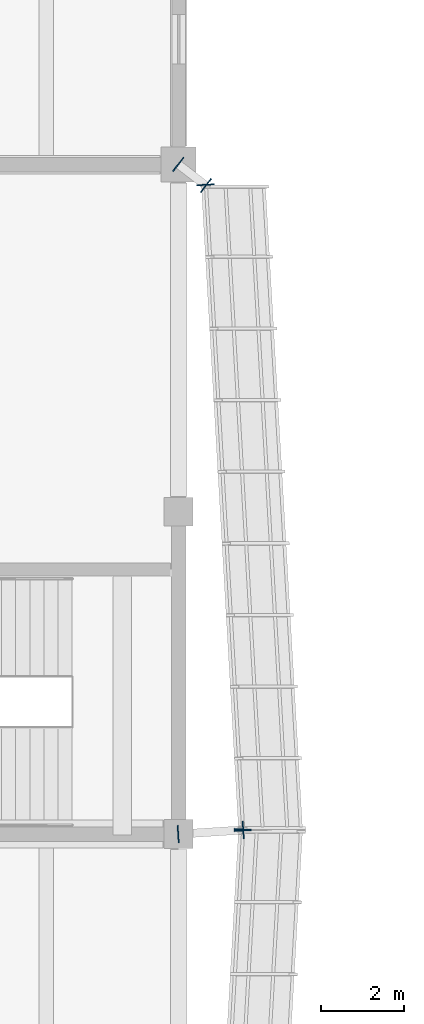
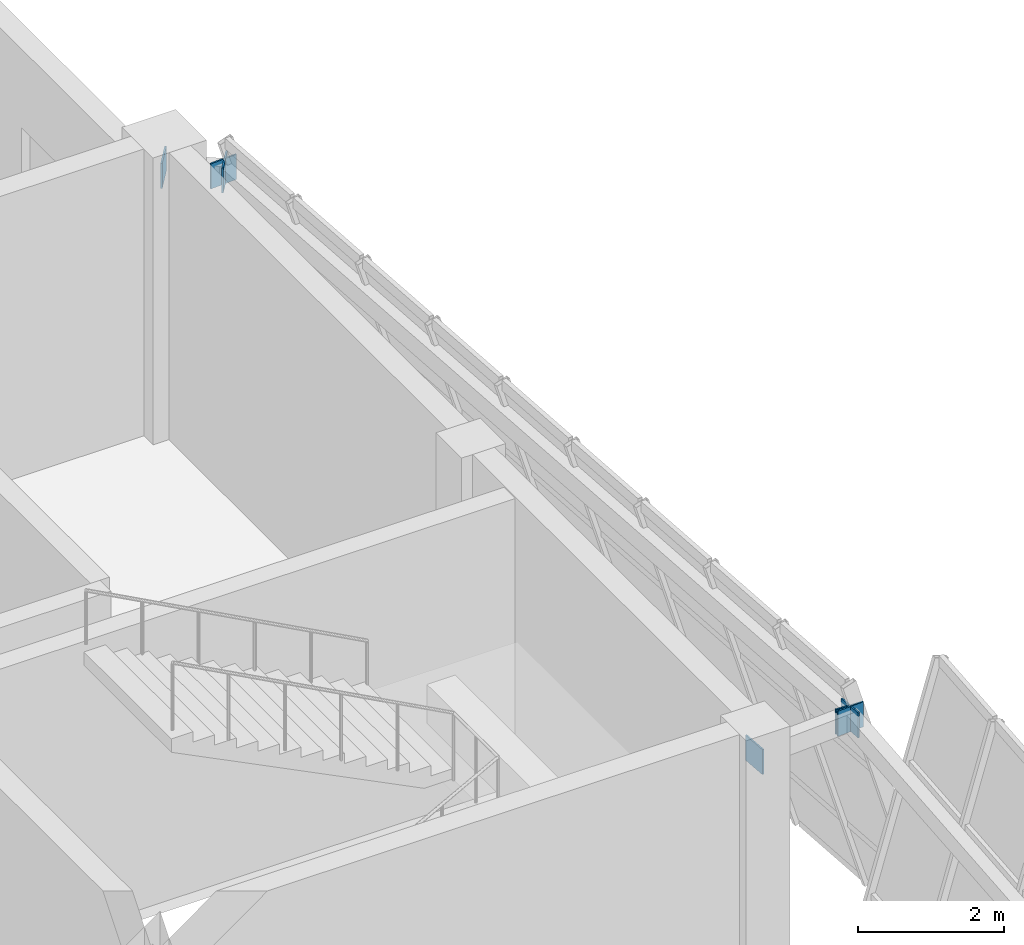
# One storey, part 78 of 91: 7 plates.
"""IFC4 building model written with IfcOpenShell, lengths in metres."""

from ifc_helpers import new_model, si_unit, direction, frame, origin, origin_2d, place, context, subcontext, project, spatial, rectangle, extrude, material, layer, layer_set, type_object, element, save


model = new_model("IFC4")

# Units and contexts
model_context = context("Model", 3, precision=1e-05, world=origin(), true_north=direction((0.0, 1.0)))
body_context = subcontext(model_context, "Body", "Model", "MODEL_VIEW")
ifc_project = project(units=[si_unit("LENGTHUNIT", "METRE"), si_unit("AREAUNIT", "SQUARE_METRE"), si_unit("VOLUMEUNIT", "CUBIC_METRE"), si_unit("PLANEANGLEUNIT", "RADIAN"), si_unit("MASSUNIT", "GRAM", prefix="KILO")], contexts=[model_context])

# Site, building, storey
site_placement = place(None, origin())
site = spatial("IfcSite", under=ifc_project, at=site_placement, CompositionType="ELEMENT")
building_placement = place(site_placement, origin())
building = spatial("IfcBuilding", under=site, at=building_placement, Name="Pellamere Symphony Hall", CompositionType="ELEMENT")
storey_placement = place(building_placement, frame((0.0, 0.0, 5.39990234375)))
storey = spatial("IfcBuildingStorey", under=building, at=storey_placement, Name="L01", CompositionType="ELEMENT", Elevation=5.39990234375)

# Plates
ifc_material = material(Name="Steel CSA G40.21 350W", Category="steel")
ifc_layer = layer(ifc_material, 0.02490234375, Name="Steel CSA G40.21 350W")
ifc_layer_set = layer_set([ifc_layer], Name="Steel CSA G40.21 350W")
plate_type = type_object("IfcPlateType", Name="Steel Connection Plate KP-01 420x420x25", PredefinedType="SHEET", material=ifc_layer_set)
for number, where, z_axis, x_axis, name in (
    (1, (120.3505859375, 77.511962890625, 4.030029296875), (0.0, 0.0, 1.0), (0.057215536424, 0.998361849427, 0.0), "Crystal Spandrel End Cap Plate CW-CR08-2 (L01)"),
    (2, (118.7880859375, 77.399169921875, 4.030029296875), (0.0, 0.0, 1.0), (0.997926866086, 0.064358138139, 0.0), "Outrigger End Cap Plate 031.1 (L01)"),
    (3, (120.362060546875, 77.500732421875, 4.030029296875), (0.0, 0.0, 1.0), (0.997926866086, 0.064358138139, 0.0), "Outrigger End Cap Plate 031.2 (L01)"),
    (4, (120.3505859375, 77.488037109375, 4.030029296875), (0.0, 0.0, 1.0), (-0.05756402696, 0.998341816614, 0.0), "Crystal Spandrel End Cap Plate CW-CR09-1 (L01)"),
    (5, (119.44921875, 93.112060546875, 4.030029296875), (0.0, 0.0, 1.0), (-0.05756402696, 0.998341816614, 0.0), "Crystal Spandrel End Cap Plate CW-CR09-2 (L01)"),
    (6, (118.79052734375, 93.607421875, 4.030029296875), (0.0, 0.0, 1.0), (0.792609005996, -0.609730238396, 0.0), "Outrigger End Cap Plate 041.1 (L01)"),
    (7, (119.45947265625, 93.0927734375, 4.030029296875), (0.0, 0.0, 1.0), (0.792609005996, -0.609730238396, 0.0), "Outrigger End Cap Plate 041.2 (L01)"),
):
    element("IfcPlate", number, at=place(storey_placement, frame(where, z_axis=z_axis, x_axis=x_axis)), inside=storey, type_object=plate_type, Name=name, PredefinedType="SHEET", context=body_context, shape_type="SweptSolid", body=[
        extrude(rectangle(XDim=0.02490234375, YDim=0.419921875, at=origin_2d()), origin(), (0.0, 0.0, 1.0), 0.419921875),
    ])

save(model, "model.ifc")
